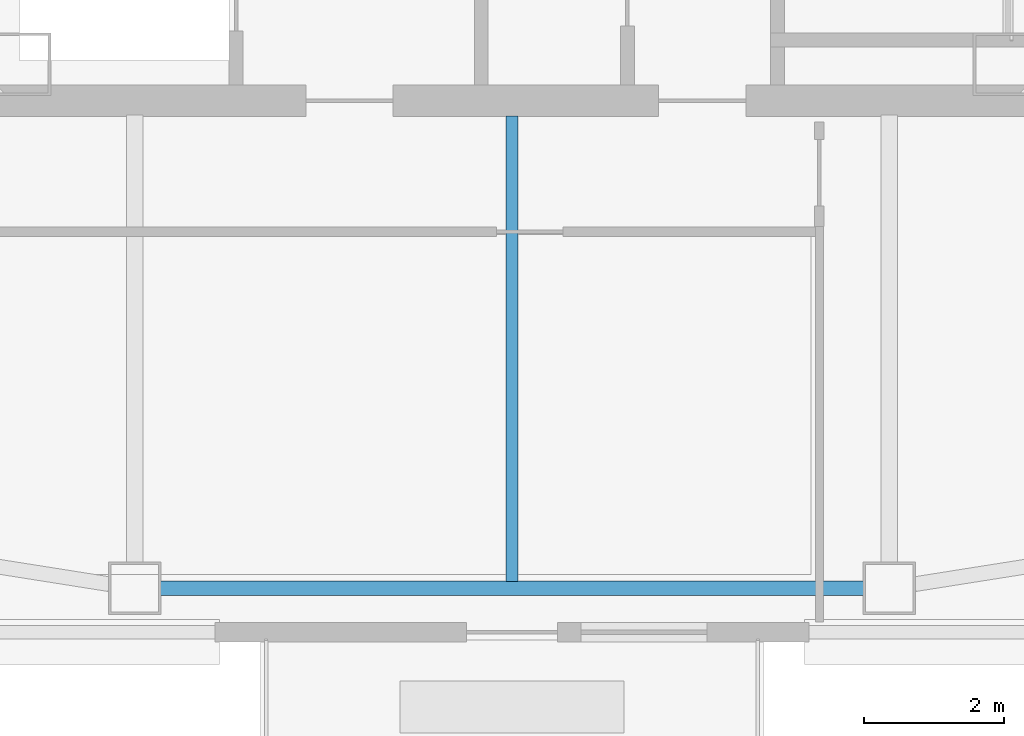
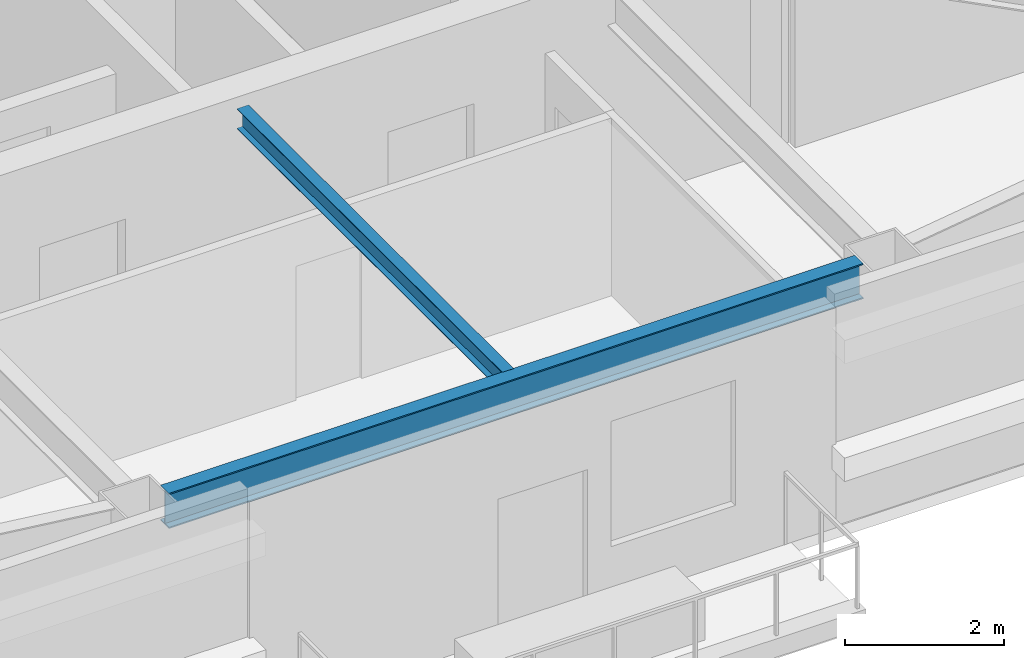
# One storey, part 5 of 31: 2 beams.
"""IFC4 building model written with IfcOpenShell, lengths in metres."""

import ifcopenshell
import ifcopenshell.guid

model = None  # the IFC model being written
_history = None  # IfcOwnerHistory: only IFC2X3 demands one
_inside = {}  # id of a spatial element -> (the spatial element, [elements in it])
_under = {}  # id of a project, library or spatial element -> (it, [spatial elements below it])
_declared = {}  # id of a project -> (the project, [libraries it declares])
_typed = {}  # id of a type object -> (the type object, [elements of that type])
_made_of = {}  # id of a material, layer set ... -> (it, [elements and type objects made of it])


def new_model(schema):
    """Start an empty IFC model of exactly this schema.

    Asked for "IFC4X3", IfcOpenShell would pick the latest addendum, in which some entities
    have other attributes; the version numbers below select the first issue.
    IFC2X3 requires an IfcOwnerHistory on every rooted entity: one is made here for all.
    """
    global model, _history
    if schema == "IFC4X3":
        model = ifcopenshell.file(schema_version=(4, 3, 0, 0))
    else:
        model = ifcopenshell.file(schema=schema)
    _inside.clear()
    _under.clear()
    _declared.clear()
    _typed.clear()
    _made_of.clear()
    _history = None
    if model.schema == "IFC2X3":
        org = make("IfcOrganization", Name="unknown")
        user = make(
            "IfcPersonAndOrganization",
            ThePerson=make("IfcPerson", FamilyName="unknown"),
            TheOrganization=org,
        )
        app = make(
            "IfcApplication",
            ApplicationDeveloper=org,
            Version="unknown",
            ApplicationFullName="unknown",
            ApplicationIdentifier="unknown",
        )
        _history = make(
            "IfcOwnerHistory",
            OwningUser=user,
            OwningApplication=app,
            ChangeAction="ADDED",
            CreationDate=0,
        )
    return model


def make(cls, **values):
    """One entity of the class cls with the attributes given. An attribute that is None is left unset."""
    return model.create_entity(
        cls, **{name: value for name, value in values.items() if value is not None}
    )


def rooted(cls, **values):
    """An entity with a GlobalId (a new one), such as an element, a storey or a relation."""
    return make(cls, GlobalId=ifcopenshell.guid.new(), OwnerHistory=_history, **values)


def si_unit(unit_type, name, prefix=None):
    """IfcSIUnit, for example si_unit("LENGTHUNIT", "METRE", prefix="MILLI")."""
    return make("IfcSIUnit", UnitType=unit_type, Prefix=prefix, Name=name)


def assignment(units):
    """IfcUnitAssignment: the units of a project."""
    return None if units is None else make("IfcUnitAssignment", Units=units)


def point(xyz):
    """IfcCartesianPoint."""
    return None if xyz is None else make("IfcCartesianPoint", Coordinates=xyz)


def direction(xyz):
    """IfcDirection."""
    return None if xyz is None else make("IfcDirection", DirectionRatios=xyz)


def frame(location, z_axis=None, x_axis=None):
    """IfcAxis2Placement3D, a coordinate frame: its origin and axes. An axis left out is left unset."""
    return make(
        "IfcAxis2Placement3D",
        Location=point(location),
        Axis=direction(z_axis),
        RefDirection=direction(x_axis),
    )


def frame_2d(location, x_axis=None):
    """IfcAxis2Placement2D, a coordinate frame in the plane: its origin and x axis."""
    return make(
        "IfcAxis2Placement2D", Location=point(location), RefDirection=direction(x_axis)
    )


def origin():
    """The frame at (0, 0, 0) with its axes left unset."""
    return frame((0.0, 0.0, 0.0))


def origin_2d():
    """The frame at (0, 0) in the plane with its x axis left unset."""
    return frame_2d((0.0, 0.0))


def place(relative_to, where):
    """IfcLocalPlacement: puts the frame where relative to a parent placement (None: the world)."""
    return make(
        "IfcLocalPlacement", PlacementRelTo=relative_to, RelativePlacement=where
    )


def context(
    kind, dimensions, precision=None, world=None, true_north=None, identifier=None
):
    """IfcGeometricRepresentationContext, for example the 3D "Model" context."""
    return make(
        "IfcGeometricRepresentationContext",
        ContextIdentifier=identifier,
        ContextType=kind,
        CoordinateSpaceDimension=dimensions,
        Precision=precision,
        WorldCoordinateSystem=world,
        TrueNorth=true_north,
    )


def subcontext(parent, identifier, kind, view, scale=None):
    """IfcGeometricRepresentationSubContext, for example "Body" below "Model"."""
    return make(
        "IfcGeometricRepresentationSubContext",
        ContextIdentifier=identifier,
        ContextType=kind,
        ParentContext=parent,
        TargetScale=scale,
        TargetView=view,
    )


def project(units=None, contexts=None):
    """IfcProject with its units and contexts."""
    return rooted(
        "IfcProject",
        Name="project",
        RepresentationContexts=contexts,
        UnitsInContext=assignment(units),
    )


def spatial(cls, under=None, at=None, **own):
    """A site, building, storey or space (cls), placed at a placement, below another one or the project."""
    s = rooted(cls, ObjectPlacement=at, **own)
    if under is not None:
        _under.setdefault(under.id(), (under, []))[1].append(s)
    return s


def profile(cls, at=None, kind="AREA", **sizes):
    """A parametric profile (cls). Its sizes go by their IFC names, for example OverallWidth=200.0."""
    return make(cls, ProfileType=kind, Position=at, **sizes)


def i_section(**sizes):
    """IfcIShapeProfileDef."""
    return profile("IfcIShapeProfileDef", **sizes)


def extrude(swept, where, along, depth):
    """IfcExtrudedAreaSolid: the profile swept, set in the frame where, extruded along a direction by depth."""
    return make(
        "IfcExtrudedAreaSolid",
        SweptArea=swept,
        Position=where,
        ExtrudedDirection=direction(along),
        Depth=depth,
    )


def shape(context_of_items, identifier, shape_type, items):
    """IfcShapeRepresentation: the items that make up one representation, for example the "Body"."""
    return make(
        "IfcShapeRepresentation",
        ContextOfItems=context_of_items,
        RepresentationIdentifier=identifier,
        RepresentationType=shape_type,
        Items=items,
    )


def material(Name=None, Category=None):
    """IfcMaterial."""
    return make("IfcMaterial", Name=Name, Category=Category)


def material_profile(
    of_material, cross_section, Name=None, Category=None, Priority=None
):
    """IfcMaterialProfile: a cross section and its material."""
    return make(
        "IfcMaterialProfile",
        Name=Name,
        Material=of_material,
        Profile=cross_section,
        Priority=Priority,
        Category=Category,
    )


def profile_set(profiles, Name=None, composite=None):
    """IfcMaterialProfileSet."""
    return make(
        "IfcMaterialProfileSet",
        Name=Name,
        MaterialProfiles=profiles,
        CompositeProfile=composite,
    )


def made_of(thing, what):
    """Note that an element or type object is made of a material, layer set ...; save() writes the relation."""
    if what is not None:
        _made_of.setdefault(what.id(), (what, []))[1].append(thing)
    return thing


def type_object(cls, material=None, **own):
    """A type object (cls), such as IfcWallType, which elements share."""
    return made_of(rooted(cls, **own), material)


def element(
    cls,
    number,
    at=None,
    inside=None,
    cuts=None,
    type_object=None,
    material=None,
    context=None,
    identifier="Body",
    shape_type=None,
    held_by="IfcProductDefinitionShape",
    body=None,
    shapes=None,
    **own,
):
    """One element of the class cls, such as IfcWall. Its Tag is "e" and its number.

    at: its placement. inside: the storey or other place that contains it. cuts: it is an
    opening in that element (IfcRelVoidsElement). A single representation is given by context,
    identifier, shape_type and body (its items); several are given by shapes. held_by: the class
    of the entity that holds the representations. save() writes the other relations.
    """
    e = rooted(cls, Tag="e%d" % number, ObjectPlacement=at, **own)
    if body is not None:
        shapes = [shape(context, identifier, shape_type, body)]
    if shapes is not None:
        e.Representation = make(held_by, Representations=shapes)
    if inside is not None:
        _inside.setdefault(inside.id(), (inside, []))[1].append(e)
    if cuts is not None:
        rooted(
            "IfcRelVoidsElement", RelatingBuildingElement=cuts, RelatedOpeningElement=e
        )
    if type_object is not None:
        _typed.setdefault(type_object.id(), (type_object, []))[1].append(e)
    return made_of(e, material)


def aggregate(whole, parts):
    """IfcRelAggregates: a whole, such as a stair, and the parts it consists of."""
    return rooted("IfcRelAggregates", RelatingObject=whole, RelatedObjects=parts)


def save(model, path):
    """Write the relations noted so far, then the file.

    IfcRelAggregates (storeys below a building ...), IfcRelContainedInSpatialStructure (elements
    in a storey), IfcRelDefinesByType, IfcRelAssociatesMaterial and IfcRelDeclares: one each for
    every whole, place, type object, material and project.
    """
    for whole, parts in _under.values():
        aggregate(whole, parts)
    for where, things in _inside.values():
        rooted(
            "IfcRelContainedInSpatialStructure",
            RelatedElements=things,
            RelatingStructure=where,
        )
    for kind, things in _typed.values():
        rooted("IfcRelDefinesByType", RelatedObjects=things, RelatingType=kind)
    for what, things in _made_of.values():
        rooted("IfcRelAssociatesMaterial", RelatedObjects=things, RelatingMaterial=what)
    for by, libraries in _declared.values():
        rooted("IfcRelDeclares", RelatingContext=by, RelatedDefinitions=libraries)
    model.write(path)


model = new_model("IFC4")

# Units and contexts
model_context = context("Model", 3, precision=1e-05, world=origin(), true_north=direction((0.0, 1.0)))
body_context = subcontext(model_context, "Body", "Model", "MODEL_VIEW")
ifc_project = project(units=[si_unit("LENGTHUNIT", "METRE"), si_unit("AREAUNIT", "SQUARE_METRE"), si_unit("VOLUMEUNIT", "CUBIC_METRE"), si_unit("PLANEANGLEUNIT", "RADIAN"), si_unit("MASSUNIT", "GRAM", prefix="KILO")], contexts=[model_context])

# Site, building, storey
site_placement = place(None, origin())
site = spatial("IfcSite", under=ifc_project, at=site_placement, CompositionType="ELEMENT")
building_placement = place(site_placement, origin())
building = spatial("IfcBuilding", under=site, at=building_placement, Name="Tashvorn Skyway Center", CompositionType="ELEMENT")
storey_placement = place(building_placement, frame((0.0, 0.0, 266.949951171875)))
storey = spatial("IfcBuildingStorey", under=building, at=storey_placement, Name="L72", CompositionType="ELEMENT", Elevation=266.949951171875)

# Beams
ifc_material = material(Name="Steel ASTM A992 Grade 50", Category="steel")
ifc_material_profile_1 = material_profile(ifc_material, i_section(OverallWidth=0.1650390625, OverallDepth=0.31005859375, WebThickness=0.005859375, FlangeThickness=0.009765625, at=origin_2d()), Name="W12X26")
ifc_profile_set_1 = profile_set([ifc_material_profile_1], Name="Steel ASTM A992 Grade 50")
beam_type_1 = type_object("IfcBeamType", Name="BM-JOIST-W12X26", PredefinedType="JOIST", material=ifc_profile_set_1)
beam_1_placement = place(storey_placement, frame((42.0, 24.2099609375, 3.215087890625), z_axis=(0.0, -1.0, 0.0), x_axis=(1.0, 0.0, 0.0)))
element("IfcBeam", 1, at=beam_1_placement, inside=storey, type_object=beam_type_1, Name="Tower 1 L72 Secondary Composite Joist JS", PredefinedType="JOIST", context=body_context, shape_type="SweptSolid", body=[
    extrude(i_section(OverallWidth=0.1650390625, OverallDepth=0.31005859375, WebThickness=0.005859375, FlangeThickness=0.009765625, at=origin_2d()), origin(), (0.0, 0.0, 1.0), 6.662353515625),
])
ifc_material_profile_2 = material_profile(ifc_material, i_section(OverallWidth=0.2109375, OverallDepth=0.5390625, WebThickness=0.01171875, FlangeThickness=0.018798828125, at=origin_2d()), Name="W21X73")
ifc_profile_set_2 = profile_set([ifc_material_profile_2], Name="Steel ASTM A992 Grade 50")
beam_type_2 = type_object("IfcBeamType", Name="BM-SPANDREL-W21X73", PredefinedType="SPANDREL", material=ifc_profile_set_2)
beam_2_placement = place(storey_placement, frame((36.969970703125, 17.449951171875, 3.1005859375), z_axis=(1.0, 0.0, 0.0), x_axis=(0.0, 1.0, 0.0)))
element("IfcBeam", 2, at=beam_2_placement, inside=storey, type_object=beam_type_2, Name="Tower 1 L72 Spandrel Beam 02", PredefinedType="SPANDREL", context=body_context, shape_type="SweptSolid", body=[
    extrude(i_section(OverallWidth=0.2109375, OverallDepth=0.5390625, WebThickness=0.01171875, FlangeThickness=0.018798828125, at=origin_2d()), origin(), (0.0, 0.0, 1.0), 10.06005859375),
])

save(model, "model.ifc")
